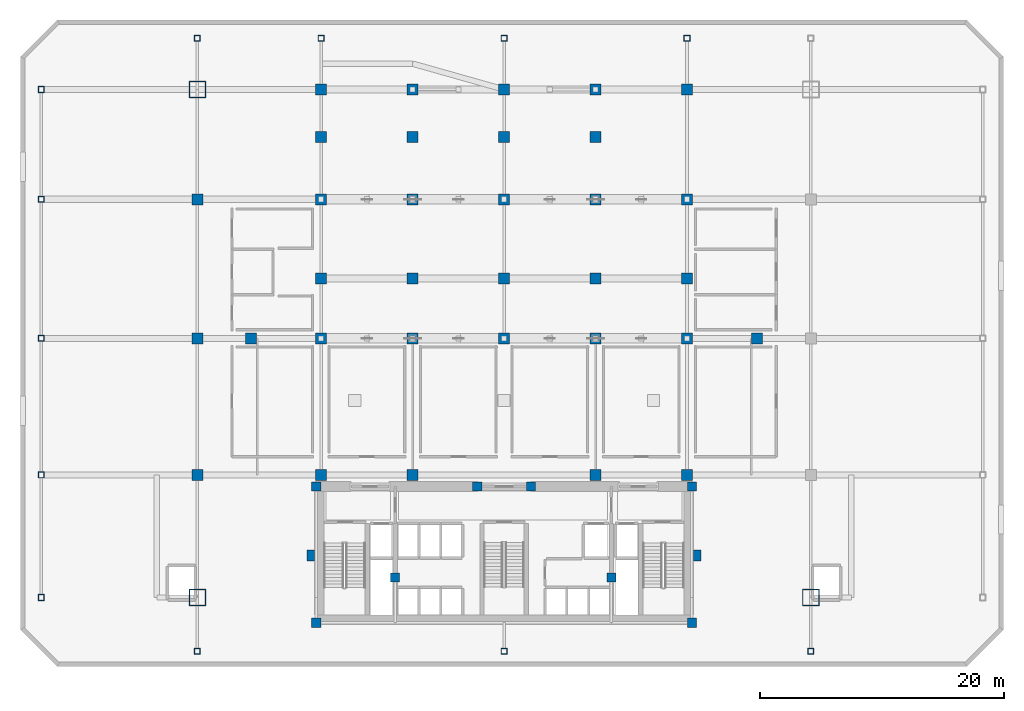
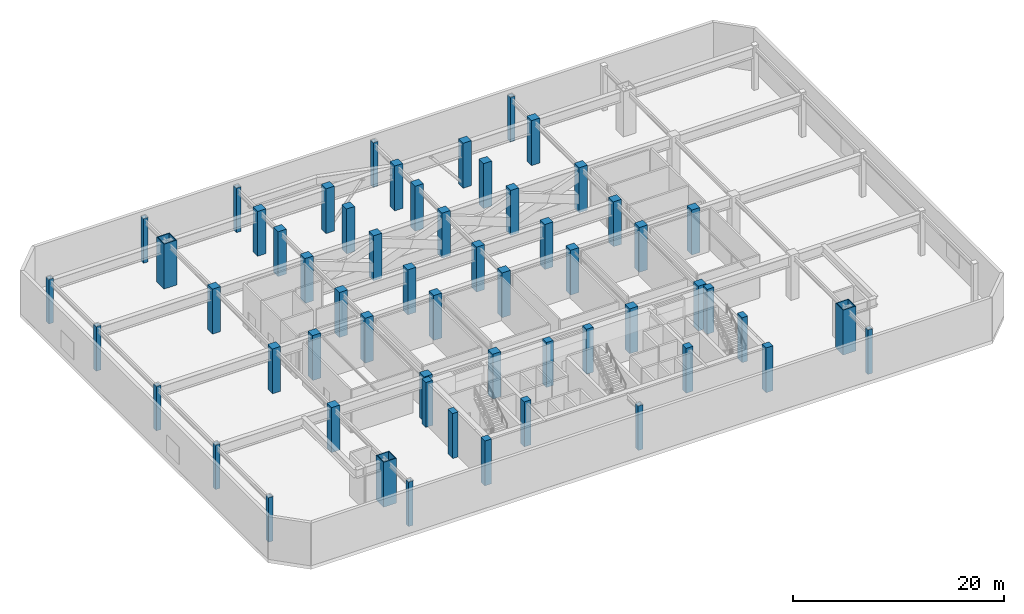
# One storey, part 1 of 14: 58 columns.
"""IFC4 building model written with IfcOpenShell, lengths in metres."""

from ifc_helpers import new_model, si_unit, direction, frame, origin, origin_2d, place, context, subcontext, project, spatial, rectangle, hollow_rectangle, extrude, material, material_profile, profile_set, type_object, element, save


model = new_model("IFC4")

# Units and contexts
model_context = context("Model", 3, precision=1e-05, world=origin(), true_north=direction((0.0, 1.0)))
body_context = subcontext(model_context, "Body", "Model", "MODEL_VIEW")
ifc_project = project(units=[si_unit("LENGTHUNIT", "METRE"), si_unit("AREAUNIT", "SQUARE_METRE"), si_unit("VOLUMEUNIT", "CUBIC_METRE"), si_unit("PLANEANGLEUNIT", "RADIAN"), si_unit("MASSUNIT", "GRAM", prefix="KILO")], contexts=[model_context])

# Site, building, storey
site_placement = place(None, origin())
site = spatial("IfcSite", under=ifc_project, at=site_placement, CompositionType="ELEMENT")
building_placement = place(site_placement, origin())
building = spatial("IfcBuilding", under=site, at=building_placement, Name="Ventersveld Concourse Tower", CompositionType="ELEMENT")
storey_placement = place(building_placement, frame((0.0, 0.0, 24.60009765625)))
storey = spatial("IfcBuildingStorey", under=building, at=storey_placement, Name="L05", CompositionType="ELEMENT", Elevation=24.60009765625)

# Columns
ifc_material_1 = material(Name="Structural steel S355ML", Category="steel")
ifc_material_profile_1 = material_profile(ifc_material_1, hollow_rectangle(XDim=0.5, YDim=0.5, WallThickness=0.031982421875, at=origin_2d()), Name="BOX 500x500x32")
ifc_profile_set_1 = profile_set([ifc_material_profile_1], Name="Structural steel S355ML")
column_type_1 = type_object("IfcColumnType", Name="COL-BOX500", PredefinedType="COLUMN", material=ifc_profile_set_1)
for number, where, z_axis, x_axis, name in (
    (1, (-9.199951171875, 2.35009765625, 0.0), (0.0, 0.0, 1.0), (1.0, 0.0, 0.0), "L05 Podium Perimeter Column 01"),
    (2, (-9.199951171875, 12.39990234375, 0.0), (0.0, 0.0, 1.0), (1.0, 0.0, 0.0), "L05 Podium Perimeter Column 02"),
    (3, (-9.199951171875, 23.60009765625, 0.0), (0.0, 0.0, 1.0), (1.0, 0.0, 0.0), "L05 Podium Perimeter Column 03"),
    (4, (-9.199951171875, 35.0, 0.0), (0.0, 0.0, 1.0), (1.0, 0.0, 0.0), "L05 Podium Perimeter Column 04"),
    (5, (-9.199951171875, 44.0, 0.0), (0.0, 0.0, 1.0), (1.0, 0.0, 0.0), "L05 Podium Perimeter Column 05"),
    (6, (3.60009765625, 48.199951171875, 0.0), (0.0, 0.0, 1.0), (1.0, 0.0, 0.0), "L05 Podium Perimeter Column 11"),
    (7, (13.75, 48.199951171875, 0.0), (0.0, 0.0, 1.0), (1.0, 0.0, 0.0), "L05 Podium Perimeter Column 12"),
    (8, (28.75, 48.199951171875, 0.0), (0.0, 0.0, 1.0), (1.0, 0.0, 0.0), "L05 Podium Perimeter Column 13"),
    (9, (43.75, 48.199951171875, 0.0), (0.0, 0.0, 1.0), (1.0, 0.0, 0.0), "L05 Podium Perimeter Column 14"),
    (10, (3.60009765625, -2.050048828125, 0.0), (0.0, 0.0, 1.0), (1.0, 0.0, 0.0), "L05 Podium Perimeter Column 16"),
    (11, (28.75, -2.050048828125, 0.0), (0.0, 0.0, 1.0), (1.0, 0.0, 0.0), "L05 Podium Perimeter Column 17"),
    (12, (53.89990234375, -2.050048828125, 0.0), (0.0, 0.0, 1.0), (1.0, 0.0, 0.0), "L05 Podium Perimeter Column 18"),
):
    element("IfcColumn", number, at=place(storey_placement, frame(where, z_axis=z_axis, x_axis=x_axis)), inside=storey, type_object=column_type_1, Name=name, PredefinedType="COLUMN", context=body_context, shape_type="SweptSolid", body=[
        extrude(hollow_rectangle(XDim=0.5, YDim=0.5, WallThickness=0.031982421875, at=origin_2d()), origin(), (0.0, 0.0, 1.0), 5.14990234375),
    ])
ifc_material_2 = material(Name="Concrete C50/60", Category="concrete")
ifc_material_profile_2 = material_profile(ifc_material_2, rectangle(XDim=0.75, YDim=0.75, at=origin_2d()), Name="RC 750x750")
ifc_profile_set_2 = profile_set([ifc_material_profile_2], Name="Concrete C50/60")
column_type_2 = type_object("IfcColumnType", Name="COL-RC750", PredefinedType="COLUMN", material=ifc_profile_set_2)
for number, where, z_axis, x_axis, name in (
    (13, (13.35009765625, 0.280029296875, 0.0), (0.0, 0.0, 1.0), (1.0, 0.0, 0.0), "L05 Core Spine Column CC-SW"),
    (14, (44.14990234375, 0.280029296875, 0.0), (0.0, 0.0, 1.0), (1.0, 0.0, 0.0), "L05 Core Spine Column CC-SE"),
    (15, (13.35009765625, 11.449951171875, 0.0), (0.0, 0.0, 1.0), (1.0, 0.0, 0.0), "L05 Core Spine Column CC-NW"),
    (16, (44.14990234375, 11.449951171875, 0.0), (0.0, 0.0, 1.0), (1.0, 0.0, 0.0), "L05 Core Spine Column CC-NE"),
    (17, (19.820068359375, 4.0, 0.0), (0.0, 0.0, 1.0), (1.0, 0.0, 0.0), "L05 Core Spine Column CM-1"),
    (18, (37.550048828125, 4.0, 0.0), (0.0, 0.0, 1.0), (1.0, 0.0, 0.0), "L05 Core Spine Column CM-2"),
    (19, (26.550048828125, 11.449951171875, 0.0), (0.0, 0.0, 1.0), (1.0, 0.0, 0.0), "L05 Core Spine Column CM-3"),
    (20, (30.949951171875, 11.449951171875, 0.0), (0.0, 0.0, 1.0), (1.0, 0.0, 0.0), "L05 Core Spine Column CM-4"),
):
    element("IfcColumn", number, at=place(storey_placement, frame(where, z_axis=z_axis, x_axis=x_axis)), inside=storey, type_object=column_type_2, Name=name, PredefinedType="COLUMN", context=body_context, shape_type="SweptSolid", body=[
        extrude(rectangle(XDim=0.75, YDim=0.75, at=origin_2d()), origin(), (0.0, 0.0, 1.0), 5.199951171875),
    ])
ifc_material_3 = material(Name="Concrete C60/75", Category="concrete")
ifc_material_profile_3 = material_profile(ifc_material_3, rectangle(XDim=0.89990234375, YDim=0.89990234375, at=origin_2d()), Name="RC 900x900")
ifc_profile_set_3 = profile_set([ifc_material_profile_3], Name="Concrete C60/75")
column_type_3 = type_object("IfcColumnType", Name="COL-RC900", PredefinedType="COLUMN", material=ifc_profile_set_3)
for number, where, z_axis, x_axis, name in (
    (21, (3.60009765625, 12.39990234375, 0.0), (0.0, 0.0, 1.0), (1.0, 0.0, 0.0), "L05 Station Grid Column G1B-C"),
    (22, (3.60009765625, 23.60009765625, 0.0), (0.0, 0.0, 1.0), (1.0, 0.0, 0.0), "L05 Station Grid Column G1B-D"),
    (23, (3.60009765625, 35.0, 0.0), (0.0, 0.0, 1.0), (1.0, 0.0, 0.0), "L05 Station Grid Column G1B-E"),
    (24, (13.75, 12.39990234375, 0.0), (0.0, 0.0, 1.0), (1.0, 0.0, 0.0), "L05 Station Grid Column G3-C"),
    (25, (13.75, 23.60009765625, 0.0), (0.0, 0.0, 1.0), (1.0, 0.0, 0.0), "L05 Station Grid Column G3-D"),
    (26, (13.75, 35.0, 0.0), (0.0, 0.0, 1.0), (1.0, 0.0, 0.0), "L05 Station Grid Column G3-E"),
    (27, (13.75, 44.0, 0.0), (0.0, 0.0, 1.0), (1.0, 0.0, 0.0), "L05 Station Grid Column G3-F"),
    (28, (28.75, 23.60009765625, 0.0), (0.0, 0.0, 1.0), (1.0, 0.0, 0.0), "L05 Station Grid Column G5-D"),
    (29, (28.75, 35.0, 0.0), (0.0, 0.0, 1.0), (1.0, 0.0, 0.0), "L05 Station Grid Column G5-E"),
    (30, (28.75, 44.0, 0.0), (0.0, 0.0, 1.0), (1.0, 0.0, 0.0), "L05 Station Grid Column G5-F"),
    (31, (43.75, 12.39990234375, 0.0), (0.0, 0.0, 1.0), (1.0, 0.0, 0.0), "L05 Station Grid Column G7-C"),
    (32, (43.75, 23.60009765625, 0.0), (0.0, 0.0, 1.0), (1.0, 0.0, 0.0), "L05 Station Grid Column G7-D"),
    (33, (43.75, 35.0, 0.0), (0.0, 0.0, 1.0), (1.0, 0.0, 0.0), "L05 Station Grid Column G7-E"),
    (34, (43.75, 44.0, 0.0), (0.0, 0.0, 1.0), (1.0, 0.0, 0.0), "L05 Station Grid Column G7-F"),
    (35, (21.25, 12.39990234375, 0.0), (0.0, 0.0, 1.0), (1.0, 0.0, 0.0), "L05 Station Tower-Line Column G4C"),
    (36, (36.25, 12.39990234375, 0.0), (0.0, 0.0, 1.0), (1.0, 0.0, 0.0), "L05 Station Tower-Line Column G6C"),
    (37, (8.0, 23.60009765625, 0.0), (0.0, 0.0, 1.0), (1.0, 0.0, 0.0), "L05 Station Tower-Line Column G2D"),
    (38, (21.25, 23.60009765625, 0.0), (0.0, 0.0, 1.0), (1.0, 0.0, 0.0), "L05 Station Tower-Line Column G4D"),
    (39, (36.25, 23.60009765625, 0.0), (0.0, 0.0, 1.0), (1.0, 0.0, 0.0), "L05 Station Tower-Line Column G6D"),
    (40, (49.5, 23.60009765625, 0.0), (0.0, 0.0, 1.0), (1.0, 0.0, 0.0), "L05 Station Tower-Line Column G8AD"),
    (41, (13.75, 28.5, 0.0), (0.0, 0.0, 1.0), (1.0, 0.0, 0.0), "L05 Station Tower-Line Column G3DN"),
    (42, (21.25, 28.5, 0.0), (0.0, 0.0, 1.0), (1.0, 0.0, 0.0), "L05 Station Tower-Line Column G4DN"),
    (43, (28.75, 28.5, 0.0), (0.0, 0.0, 1.0), (1.0, 0.0, 0.0), "L05 Station Tower-Line Column G5DN"),
    (44, (36.25, 28.5, 0.0), (0.0, 0.0, 1.0), (1.0, 0.0, 0.0), "L05 Station Tower-Line Column G6DN"),
    (45, (43.75, 28.5, 0.0), (0.0, 0.0, 1.0), (1.0, 0.0, 0.0), "L05 Station Tower-Line Column G7DN"),
    (46, (21.25, 35.0, 0.0), (0.0, 0.0, 1.0), (1.0, 0.0, 0.0), "L05 Station Tower-Line Column G4E"),
    (47, (36.25, 35.0, 0.0), (0.0, 0.0, 1.0), (1.0, 0.0, 0.0), "L05 Station Tower-Line Column G6E"),
    (48, (13.75, 40.1201171875, 0.0), (0.0, 0.0, 1.0), (1.0, 0.0, 0.0), "L05 Station Tower-Line Column G3EM"),
    (49, (21.25, 40.1201171875, 0.0), (0.0, 0.0, 1.0), (1.0, 0.0, 0.0), "L05 Station Tower-Line Column G4EM"),
    (50, (28.75, 40.1201171875, 0.0), (0.0, 0.0, 1.0), (1.0, 0.0, 0.0), "L05 Station Tower-Line Column G5EM"),
    (51, (36.25, 40.1201171875, 0.0), (0.0, 0.0, 1.0), (1.0, 0.0, 0.0), "L05 Station Tower-Line Column G6EM"),
    (52, (21.25, 44.0, 0.0), (0.0, 0.0, 1.0), (1.0, 0.0, 0.0), "L05 Station Tower-Line Column G4F"),
    (53, (36.25, 44.0, 0.0), (0.0, 0.0, 1.0), (1.0, 0.0, 0.0), "L05 Station Tower-Line Column G6F"),
):
    element("IfcColumn", number, at=place(storey_placement, frame(where, z_axis=z_axis, x_axis=x_axis)), inside=storey, type_object=column_type_3, Name=name, PredefinedType="COLUMN", context=body_context, shape_type="SweptSolid", body=[
        extrude(rectangle(XDim=0.89990234375, YDim=0.89990234375, at=origin_2d()), origin(), (0.0, 0.0, 1.0), 5.199951171875),
    ])
ifc_material_4 = material(Name="Structural steel S460ML", Category="steel")
ifc_material_profile_4 = material_profile(ifc_material_4, hollow_rectangle(XDim=1.39990234375, YDim=1.39990234375, WallThickness=0.080078125, at=origin_2d()), Name="BOX 1400x1400x80")
ifc_profile_set_4 = profile_set([ifc_material_profile_4], Name="Structural steel S460ML")
column_type_4 = type_object("IfcColumnType", Name="MC-1400", PredefinedType="USERDEFINED", material=ifc_profile_set_4)
for number, where, z_axis, x_axis, name in (
    (54, (3.60009765625, 2.35009765625, 0.0), (0.0, 0.0, 1.0), (1.0, 0.0, 0.0), "L05 Corner Mega-Column MC-SW"),
    (55, (53.89990234375, 2.35009765625, 0.0), (0.0, 0.0, 1.0), (1.0, 0.0, 0.0), "L05 Corner Mega-Column MC-SE"),
    (56, (3.60009765625, 44.0, 0.0), (0.0, 0.0, 1.0), (1.0, 0.0, 0.0), "L05 Corner Mega-Column MC-NW"),
):
    element("IfcColumn", number, at=place(storey_placement, frame(where, z_axis=z_axis, x_axis=x_axis)), inside=storey, type_object=column_type_4, Name=name, ObjectType="MEGA_COLUMN", PredefinedType="USERDEFINED", context=body_context, shape_type="SweptSolid", body=[
        extrude(hollow_rectangle(XDim=1.39990234375, YDim=1.39990234375, WallThickness=0.080078125, at=origin_2d()), origin(), (0.0, 0.0, 1.0), 5.199951171875),
    ])
ifc_material_profile_5 = material_profile(ifc_material_3, rectangle(XDim=0.60009765625, YDim=0.89990234375, at=origin_2d()), Name="RC 600x900")
ifc_profile_set_5 = profile_set([ifc_material_profile_5], Name="Concrete C60/75")
column_type_5 = type_object("IfcColumnType", Name="PIL-RC600x900", PredefinedType="PILASTER", material=ifc_profile_set_5)
for number, where, z_axis, x_axis, name in (
    (57, (12.89990234375, 5.800048828125, 0.0), (0.0, 0.0, 1.0), (1.0, 0.0, 0.0), "L05 Core Engaged Pilaster PIL-W"),
    (58, (44.60009765625, 5.800048828125, 0.0), (0.0, 0.0, 1.0), (1.0, 0.0, 0.0), "L05 Core Engaged Pilaster PIL-E"),
):
    element("IfcColumn", number, at=place(storey_placement, frame(where, z_axis=z_axis, x_axis=x_axis)), inside=storey, type_object=column_type_5, Name=name, PredefinedType="PILASTER", context=body_context, shape_type="SweptSolid", body=[
        extrude(rectangle(XDim=0.60009765625, YDim=0.89990234375, at=origin_2d()), origin(), (0.0, 0.0, 1.0), 5.199951171875),
    ])

save(model, "model.ifc")
